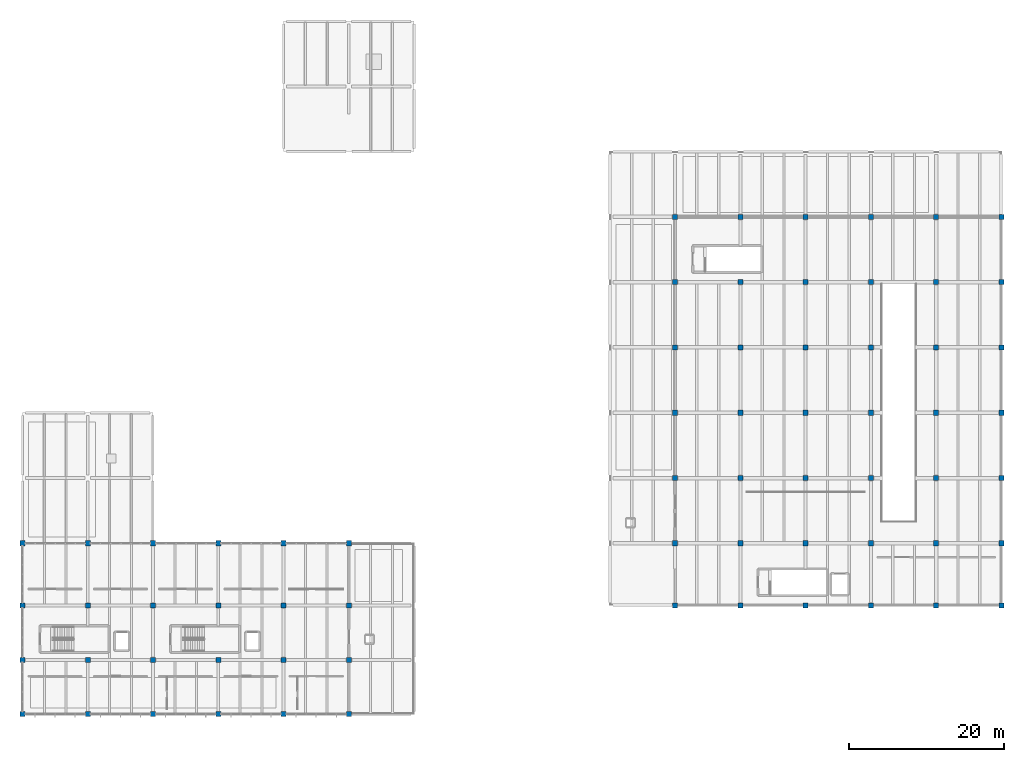
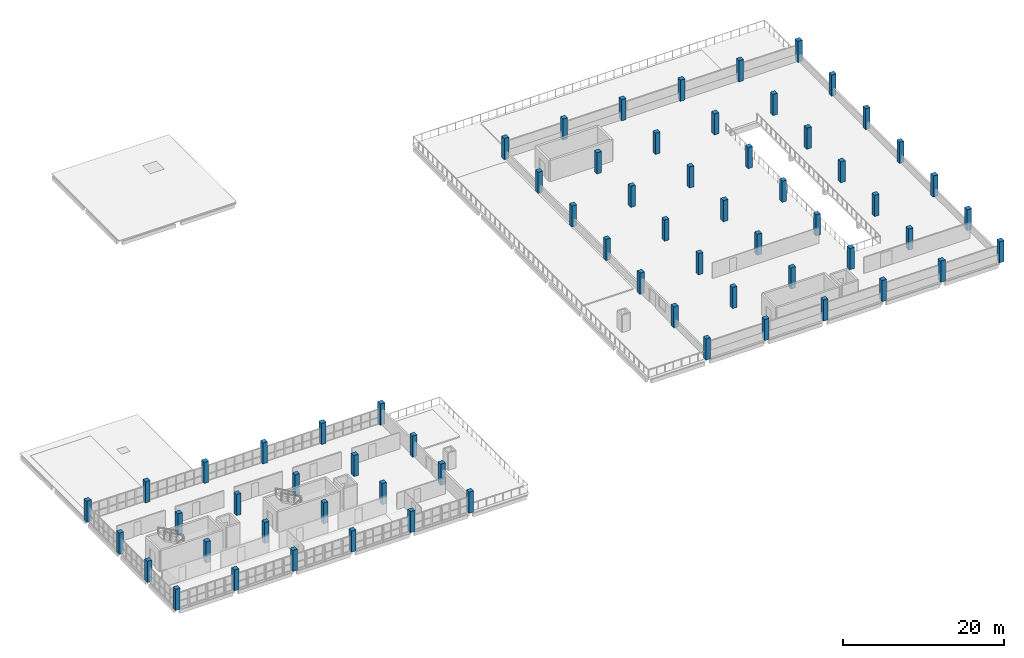
# One storey, part 1 of 33: 66 columns.
"""IFC4 building model written with IfcOpenShell, lengths in metres."""

from ifc_helpers import new_model, si_unit, direction, frame, origin, origin_2d, place, context, subcontext, project, spatial, rectangle, extrude, material, material_profile, profile_set, type_object, element, save


model = new_model("IFC4")

# Units and contexts
model_context = context("Model", 3, precision=1e-05, world=origin(), true_north=direction((0.0, 1.0)))
body_context = subcontext(model_context, "Body", "Model", "MODEL_VIEW")
ifc_project = project(units=[si_unit("LENGTHUNIT", "METRE"), si_unit("AREAUNIT", "SQUARE_METRE"), si_unit("VOLUMEUNIT", "CUBIC_METRE"), si_unit("PLANEANGLEUNIT", "RADIAN"), si_unit("MASSUNIT", "GRAM", prefix="KILO"), si_unit("THERMODYNAMICTEMPERATUREUNIT", "KELVIN"), si_unit("POWERUNIT", "WATT")], contexts=[model_context])

# Site, building, storey
site_placement = place(None, origin())
site = spatial("IfcSite", under=ifc_project, at=site_placement, CompositionType="ELEMENT")
building_placement = place(site_placement, origin())
building = spatial("IfcBuilding", under=site, at=building_placement, Name="Mavoryth Pier Ferry Terminal", CompositionType="ELEMENT")
storey_placement = place(building_placement, frame((0.0, 0.0, 13.1201171875)))
storey = spatial("IfcBuildingStorey", under=building, at=storey_placement, Name="L03", CompositionType="ELEMENT", Elevation=13.1201171875)

# Columns
ifc_material = material(Name="Concrete C40/50", Category="concrete")
ifc_material_profile = material_profile(ifc_material, rectangle(XDim=0.64990234375, YDim=0.64990234375, at=origin_2d()), Name="RC 650x650", Category="concrete")
ifc_profile_set = profile_set([ifc_material_profile], Name="Concrete C40/50 - RC 650x650")
column_type = type_object("IfcColumnType", Name="Col-RC-650x650", PredefinedType="COLUMN", material=ifc_profile_set)
for number, where, z_axis, x_axis, name in (
    (1, (126.0, 14.0, 0.0), (0.0, 0.0, 1.0), (1.0, 0.0, 0.0), "Column C03-CC08-483"),
    (2, (126.0, 22.0, 0.0), (0.0, 0.0, 1.0), (1.0, 0.0, 0.0), "Column C03-CC08-484"),
    (3, (126.0, 30.39990234375, 0.0), (0.0, 0.0, 1.0), (1.0, 0.0, 0.0), "Column C03-CC08-485"),
    (4, (126.0, 38.800048828125, 0.0), (0.0, 0.0, 1.0), (1.0, 0.0, 0.0), "Column C03-CC08-486"),
    (5, (126.0, 47.199951171875, 0.0), (0.0, 0.0, 1.0), (1.0, 0.0, 0.0), "Column C03-CC08-487"),
    (6, (126.0, 55.60009765625, 0.0), (0.0, 0.0, 1.0), (1.0, 0.0, 0.0), "Column C03-CC08-488"),
    (7, (126.0, 64.0, 0.0), (0.0, 0.0, 1.0), (1.0, 0.0, 0.0), "Column C03-CC08-489"),
    (8, (134.39990234375, 14.0, 0.0), (0.0, 0.0, 1.0), (1.0, 0.0, 0.0), "Column C03-CC08-490"),
    (9, (134.39990234375, 22.0, 0.0), (0.0, 0.0, 1.0), (1.0, 0.0, 0.0), "Column C03-CC08-491"),
    (10, (134.39990234375, 30.39990234375, 0.0), (0.0, 0.0, 1.0), (1.0, 0.0, 0.0), "Column C03-CC08-492"),
    (11, (134.39990234375, 38.800048828125, 0.0), (0.0, 0.0, 1.0), (1.0, 0.0, 0.0), "Column C03-CC08-493"),
    (12, (134.39990234375, 47.199951171875, 0.0), (0.0, 0.0, 1.0), (1.0, 0.0, 0.0), "Column C03-CC08-494"),
    (13, (134.39990234375, 55.60009765625, 0.0), (0.0, 0.0, 1.0), (1.0, 0.0, 0.0), "Column C03-CC08-495"),
    (14, (134.39990234375, 64.0, 0.0), (0.0, 0.0, 1.0), (1.0, 0.0, 0.0), "Column C03-CC08-496"),
    (15, (142.800048828125, 14.0, 0.0), (0.0, 0.0, 1.0), (1.0, 0.0, 0.0), "Column C03-CC08-497"),
    (16, (142.800048828125, 22.0, 0.0), (0.0, 0.0, 1.0), (1.0, 0.0, 0.0), "Column C03-CC08-498"),
    (17, (142.800048828125, 30.39990234375, 0.0), (0.0, 0.0, 1.0), (1.0, 0.0, 0.0), "Column C03-CC08-499"),
    (18, (142.800048828125, 38.800048828125, 0.0), (0.0, 0.0, 1.0), (1.0, 0.0, 0.0), "Column C03-CC08-500"),
    (19, (142.800048828125, 47.199951171875, 0.0), (0.0, 0.0, 1.0), (1.0, 0.0, 0.0), "Column C03-CC08-501"),
    (20, (142.800048828125, 55.60009765625, 0.0), (0.0, 0.0, 1.0), (1.0, 0.0, 0.0), "Column C03-CC08-502"),
    (21, (142.800048828125, 64.0, 0.0), (0.0, 0.0, 1.0), (1.0, 0.0, 0.0), "Column C03-CC08-503"),
    (22, (151.199951171875, 14.0, 0.0), (0.0, 0.0, 1.0), (1.0, 0.0, 0.0), "Column C03-CC08-504"),
    (23, (151.199951171875, 22.0, 0.0), (0.0, 0.0, 1.0), (1.0, 0.0, 0.0), "Column C03-CC08-505"),
    (24, (151.199951171875, 30.39990234375, 0.0), (0.0, 0.0, 1.0), (1.0, 0.0, 0.0), "Column C03-CC08-506"),
    (25, (151.199951171875, 38.800048828125, 0.0), (0.0, 0.0, 1.0), (1.0, 0.0, 0.0), "Column C03-CC08-507"),
    (26, (151.199951171875, 47.199951171875, 0.0), (0.0, 0.0, 1.0), (1.0, 0.0, 0.0), "Column C03-CC08-508"),
    (27, (151.199951171875, 55.60009765625, 0.0), (0.0, 0.0, 1.0), (1.0, 0.0, 0.0), "Column C03-CC08-509"),
    (28, (151.199951171875, 64.0, 0.0), (0.0, 0.0, 1.0), (1.0, 0.0, 0.0), "Column C03-CC08-510"),
    (29, (159.60009765625, 14.0, 0.0), (0.0, 0.0, 1.0), (1.0, 0.0, 0.0), "Column C03-CC08-511"),
    (30, (159.60009765625, 22.0, 0.0), (0.0, 0.0, 1.0), (1.0, 0.0, 0.0), "Column C03-CC08-512"),
    (31, (159.60009765625, 30.39990234375, 0.0), (0.0, 0.0, 1.0), (1.0, 0.0, 0.0), "Column C03-CC08-513"),
    (32, (159.60009765625, 38.800048828125, 0.0), (0.0, 0.0, 1.0), (1.0, 0.0, 0.0), "Column C03-CC08-514"),
    (33, (159.60009765625, 47.199951171875, 0.0), (0.0, 0.0, 1.0), (1.0, 0.0, 0.0), "Column C03-CC08-515"),
    (34, (159.60009765625, 55.60009765625, 0.0), (0.0, 0.0, 1.0), (1.0, 0.0, 0.0), "Column C03-CC08-516"),
    (35, (159.60009765625, 64.0, 0.0), (0.0, 0.0, 1.0), (1.0, 0.0, 0.0), "Column C03-CC08-517"),
    (36, (168.0, 14.0, 0.0), (0.0, 0.0, 1.0), (1.0, 0.0, 0.0), "Column C03-CC08-518"),
    (37, (168.0, 22.0, 0.0), (0.0, 0.0, 1.0), (1.0, 0.0, 0.0), "Column C03-CC08-519"),
    (38, (168.0, 30.39990234375, 0.0), (0.0, 0.0, 1.0), (1.0, 0.0, 0.0), "Column C03-CC08-520"),
    (39, (168.0, 38.800048828125, 0.0), (0.0, 0.0, 1.0), (1.0, 0.0, 0.0), "Column C03-CC08-521"),
    (40, (168.0, 47.199951171875, 0.0), (0.0, 0.0, 1.0), (1.0, 0.0, 0.0), "Column C03-CC08-522"),
    (41, (168.0, 55.60009765625, 0.0), (0.0, 0.0, 1.0), (1.0, 0.0, 0.0), "Column C03-CC08-523"),
    (42, (168.0, 64.0, 0.0), (0.0, 0.0, 1.0), (1.0, 0.0, 0.0), "Column C03-CC08-524"),
    (43, (42.0, 0.0, 0.0), (0.0, 0.0, 1.0), (1.0, 0.0, 0.0), "Column C03-CC08-627"),
    (44, (42.0, 7.0, 0.0), (0.0, 0.0, 1.0), (1.0, 0.0, 0.0), "Column C03-CC08-628"),
    (45, (42.0, 14.0, 0.0), (0.0, 0.0, 1.0), (1.0, 0.0, 0.0), "Column C03-CC08-629"),
    (46, (42.0, 22.0, 0.0), (0.0, 0.0, 1.0), (1.0, 0.0, 0.0), "Column C03-CC08-630"),
    (47, (50.39990234375, 0.0, 0.0), (0.0, 0.0, 1.0), (1.0, 0.0, 0.0), "Column C03-CC08-631"),
    (48, (50.39990234375, 7.0, 0.0), (0.0, 0.0, 1.0), (1.0, 0.0, 0.0), "Column C03-CC08-632"),
    (49, (50.39990234375, 14.0, 0.0), (0.0, 0.0, 1.0), (1.0, 0.0, 0.0), "Column C03-CC08-633"),
    (50, (50.39990234375, 22.0, 0.0), (0.0, 0.0, 1.0), (1.0, 0.0, 0.0), "Column C03-CC08-634"),
    (51, (58.800048828125, 0.0, 0.0), (0.0, 0.0, 1.0), (1.0, 0.0, 0.0), "Column C03-CC08-635"),
    (52, (58.800048828125, 7.0, 0.0), (0.0, 0.0, 1.0), (1.0, 0.0, 0.0), "Column C03-CC08-636"),
    (53, (58.800048828125, 14.0, 0.0), (0.0, 0.0, 1.0), (1.0, 0.0, 0.0), "Column C03-CC08-637"),
    (54, (58.800048828125, 22.0, 0.0), (0.0, 0.0, 1.0), (1.0, 0.0, 0.0), "Column C03-CC08-638"),
    (55, (67.199951171875, 0.0, 0.0), (0.0, 0.0, 1.0), (1.0, 0.0, 0.0), "Column C03-CC08-639"),
    (56, (67.199951171875, 7.0, 0.0), (0.0, 0.0, 1.0), (1.0, 0.0, 0.0), "Column C03-CC08-640"),
    (57, (67.199951171875, 14.0, 0.0), (0.0, 0.0, 1.0), (1.0, 0.0, 0.0), "Column C03-CC08-641"),
    (58, (67.199951171875, 22.0, 0.0), (0.0, 0.0, 1.0), (1.0, 0.0, 0.0), "Column C03-CC08-642"),
    (59, (75.60009765625, 0.0, 0.0), (0.0, 0.0, 1.0), (1.0, 0.0, 0.0), "Column C03-CC08-643"),
    (60, (75.60009765625, 7.0, 0.0), (0.0, 0.0, 1.0), (1.0, 0.0, 0.0), "Column C03-CC08-644"),
    (61, (75.60009765625, 14.0, 0.0), (0.0, 0.0, 1.0), (1.0, 0.0, 0.0), "Column C03-CC08-645"),
    (62, (75.60009765625, 22.0, 0.0), (0.0, 0.0, 1.0), (1.0, 0.0, 0.0), "Column C03-CC08-646"),
    (63, (84.0, 0.0, 0.0), (0.0, 0.0, 1.0), (1.0, 0.0, 0.0), "Column C03-CC08-647"),
    (64, (84.0, 7.0, 0.0), (0.0, 0.0, 1.0), (1.0, 0.0, 0.0), "Column C03-CC08-648"),
    (65, (84.0, 14.0, 0.0), (0.0, 0.0, 1.0), (1.0, 0.0, 0.0), "Column C03-CC08-649"),
    (66, (84.0, 22.0, 0.0), (0.0, 0.0, 1.0), (1.0, 0.0, 0.0), "Column C03-CC08-650"),
):
    element("IfcColumn", number, at=place(storey_placement, frame(where, z_axis=z_axis, x_axis=x_axis)), inside=storey, type_object=column_type, Name=name, PredefinedType="COLUMN", context=body_context, shape_type="SweptSolid", body=[
        extrude(rectangle(XDim=0.64990234375, YDim=0.64990234375, at=origin_2d()), origin(), (0.0, 0.0, 1.0), 3.199951171875),
    ])

save(model, "model.ifc")
